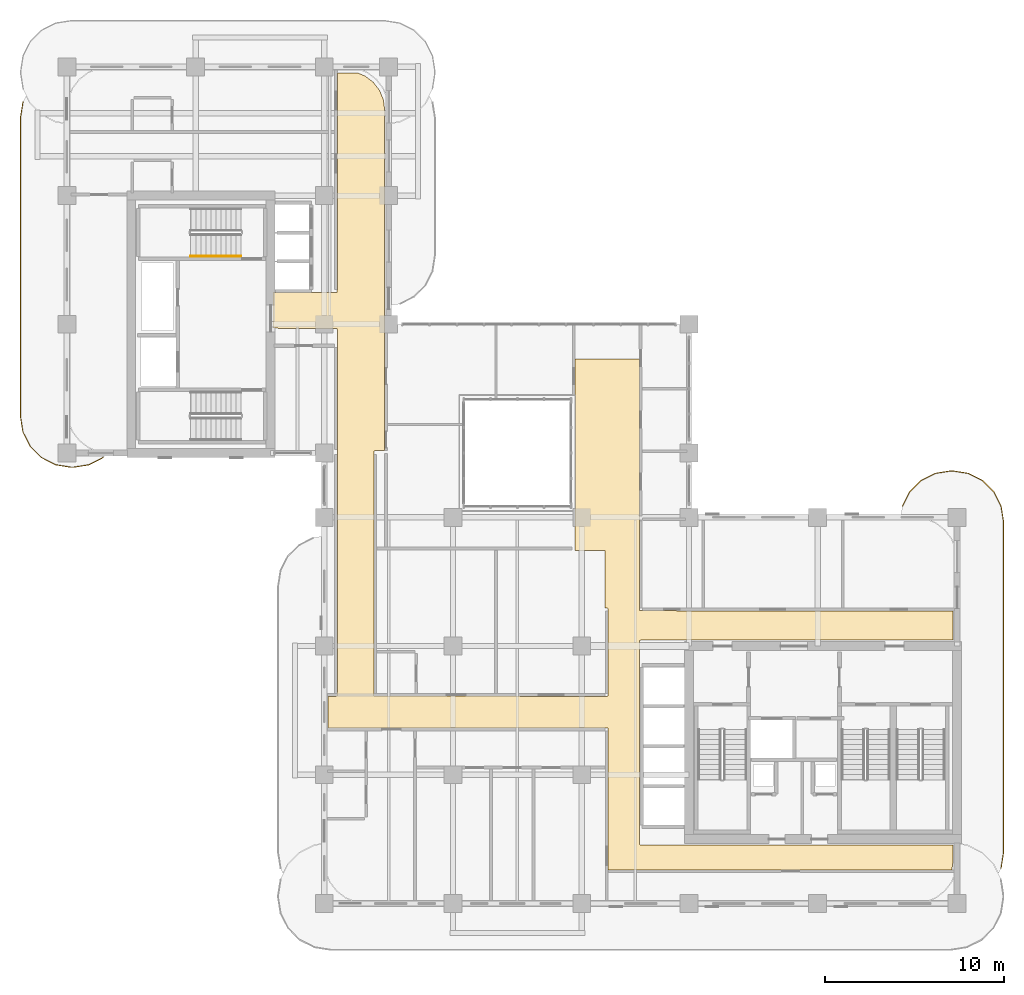
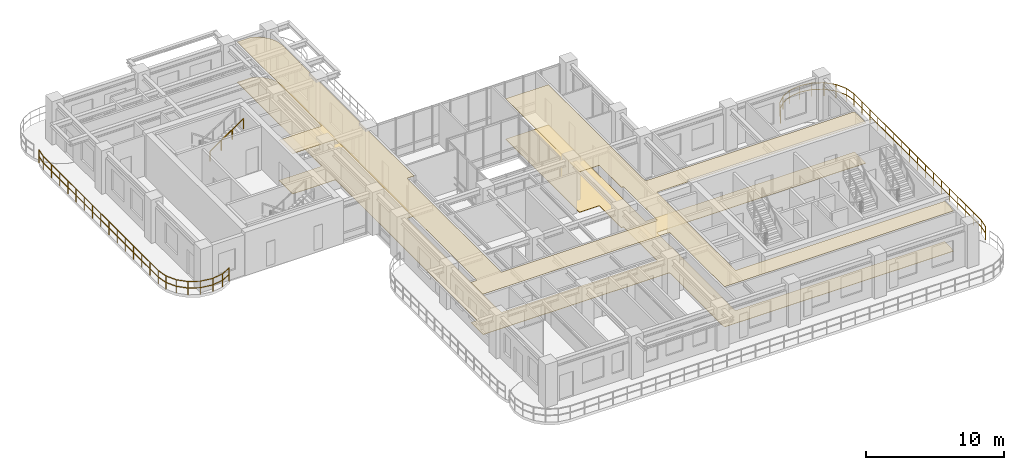
# One storey, part 19 of 20: 3 railings, 2 coverings.
"""IFC4 building model written with IfcOpenShell, lengths in metres."""

from ifc_helpers import new_model, si_unit, derived_unit, direction, frame, origin, origin_2d, place, context, subcontext, project, spatial, polyline, rectangle, outline, extrude, material, layer, layer_set, type_object, element, save


model = new_model("IFC4")

# Units and contexts
model_context = context("Model", 3, precision=1e-05, world=origin(), true_north=direction((0.0, 1.0)))
body_context = subcontext(model_context, "Body", "Model", "MODEL_VIEW")
ifc_project = project(units=[si_unit("LENGTHUNIT", "METRE"), si_unit("AREAUNIT", "SQUARE_METRE"), si_unit("VOLUMEUNIT", "CUBIC_METRE"), si_unit("PLANEANGLEUNIT", "RADIAN"), si_unit("MASSUNIT", "GRAM", prefix="KILO"), si_unit("THERMODYNAMICTEMPERATUREUNIT", "KELVIN"), si_unit("POWERUNIT", "WATT"), derived_unit("THERMALTRANSMITTANCEUNIT", [(si_unit("POWERUNIT", "WATT"), 1), (si_unit("AREAUNIT", "SQUARE_METRE"), -1), (si_unit("THERMODYNAMICTEMPERATUREUNIT", "KELVIN"), -1)])], contexts=[model_context])

# Site, building, storey
site_placement = place(None, origin())
site = spatial("IfcSite", under=ifc_project, at=site_placement, CompositionType="ELEMENT")
building_placement = place(site_placement, origin())
building = spatial("IfcBuilding", under=site, at=building_placement, Name="Zahravan Archway Hotel and Residences", CompositionType="ELEMENT")
storey_placement = place(building_placement, frame((0.0, 0.0, 177.25)))
storey = spatial("IfcBuildingStorey", under=building, at=storey_placement, Name="L44", CompositionType="ELEMENT", Elevation=177.25)

# Coverings
ifc_material_1 = material(Name="Perforated Acoustic Gypsum Ceiling")
ifc_layer_1 = layer(ifc_material_1, 0.02490234375, Name="Perforated Acoustic Gypsum Ceiling")
ifc_layer_set_1 = layer_set([ifc_layer_1], Name="Perforated Acoustic Gypsum Ceiling")
covering_type_1 = type_object("IfcCoveringType", Name="COV-CEIL-ACST", PredefinedType="CEILING", material=ifc_layer_set_1)
covering_1_placement = place(storey_placement, frame((0.0, 0.0, 3.574951171875)))
element("IfcCovering", 1, at=covering_1_placement, inside=storey, type_object=covering_type_1, Name="L44 Acoustic Corridor Ceiling", PredefinedType="CEILING", context=body_context, shape_type="SweptSolid", body=[
    extrude(outline(polyline([(32.09228515625, 14.7294921875), (32.04931640625, 14.7119140625), (32.0234375, 14.673095703125), (32.02001953125, 3.35009765625), (32.033447265625, 3.3056640625), (32.0693359375, 3.276123046875), (49.580078125, 3.27001953125), (49.580078125, 2.414306640625), (49.509521484375, 1.8798828125), (30.280029296875, 1.8798828125), (30.280029296875, 9.75), (30.2666015625, 9.79443359375), (30.230712890625, 9.823974609375), (14.6201171875, 9.830078125), (14.6201171875, 11.590087890625), (15.050048828125, 11.590087890625), (15.094482421875, 11.603515625), (15.123779296875, 11.639404296875), (15.1298828125, 32.10009765625), (15.116455078125, 32.144287109375), (15.08056640625, 32.173828125), (11.530029296875, 32.179931640625), (11.530029296875, 34.169921875), (15.050048828125, 34.169921875), (15.094482421875, 34.18359375), (15.123779296875, 34.219482421875), (15.1298828125, 46.469970703125), (16.24560546875, 46.469970703125), (16.689208984375, 46.286376953125), (17.14013671875, 45.940185546875), (17.486328125, 45.489013671875), (17.703857421875, 44.9638671875), (17.77001953125, 44.46142578125), (17.77001953125, 25.330078125), (17.25, 25.330078125), (17.20556640625, 25.31640625), (17.176025390625, 25.280517578125), (17.169921875, 11.669921875), (17.18359375, 11.62548828125), (17.219482421875, 11.59619140625), (30.199951171875, 11.590087890625), (30.244384765625, 11.603515625), (30.27392578125, 11.639404296875), (30.280029296875, 16.449951171875), (30.2666015625, 16.494384765625), (30.230712890625, 16.52392578125), (30.10009765625, 16.530029296875), (30.10009765625, 19.719970703125), (30.072998046875, 19.75), (28.429931640625, 19.75), (28.429931640625, 30.469970703125), (32.02001953125, 30.469970703125), (32.02001953125, 16.449951171875), (32.033447265625, 16.405517578125), (32.0693359375, 16.376220703125), (49.580078125, 16.3701171875), (49.580078125, 14.72998046875), (32.10009765625, 14.72998046875), (32.09228515625, 14.7294921875)])), origin(), (0.0, 0.0, 1.0), 0.025146484375),
])
ifc_material_2 = material(Name="Honed Margalla Limestone & Mortar Bed", Category="masonry")
ifc_layer_2 = layer(ifc_material_2, 0.030029296875, Name="Honed Margalla Limestone & Mortar Bed", Category="masonry")
ifc_layer_set_2 = layer_set([ifc_layer_2], Name="Honed Margalla Limestone & Mortar Bed")
covering_type_2 = type_object("IfcCoveringType", Name="COV-FLR-STONE", PredefinedType="FLOORING", material=ifc_layer_set_2)
covering_2_placement = place(storey_placement, origin())
element("IfcCovering", 2, at=covering_2_placement, inside=storey, type_object=covering_type_2, Name="L44 Circulation Floor Finish", PredefinedType="FLOORING", context=body_context, shape_type="SweptSolid", body=[
    extrude(outline(polyline([(32.09228515625, 14.7294921875), (32.04931640625, 14.7119140625), (32.0234375, 14.673095703125), (32.02001953125, 3.35009765625), (32.033447265625, 3.3056640625), (32.0693359375, 3.276123046875), (49.580078125, 3.27001953125), (49.580078125, 2.414306640625), (49.509521484375, 1.8798828125), (30.280029296875, 1.8798828125), (30.280029296875, 9.75), (30.2666015625, 9.79443359375), (30.230712890625, 9.823974609375), (14.6201171875, 9.830078125), (14.6201171875, 11.590087890625), (15.050048828125, 11.590087890625), (15.094482421875, 11.603515625), (15.123779296875, 11.639404296875), (15.1298828125, 32.10009765625), (15.116455078125, 32.144287109375), (15.08056640625, 32.173828125), (11.530029296875, 32.179931640625), (11.530029296875, 34.169921875), (15.050048828125, 34.169921875), (15.094482421875, 34.18359375), (15.123779296875, 34.219482421875), (15.1298828125, 46.469970703125), (16.24560546875, 46.469970703125), (16.689208984375, 46.286376953125), (17.14013671875, 45.940185546875), (17.486328125, 45.489013671875), (17.703857421875, 44.9638671875), (17.77001953125, 44.46142578125), (17.77001953125, 25.330078125), (17.25, 25.330078125), (17.20556640625, 25.31640625), (17.176025390625, 25.280517578125), (17.169921875, 11.669921875), (17.18359375, 11.62548828125), (17.219482421875, 11.59619140625), (30.199951171875, 11.590087890625), (30.244384765625, 11.603515625), (30.27392578125, 11.639404296875), (30.280029296875, 16.449951171875), (30.2666015625, 16.494384765625), (30.230712890625, 16.52392578125), (30.10009765625, 16.530029296875), (30.10009765625, 19.719970703125), (30.072998046875, 19.75), (28.429931640625, 19.75), (28.429931640625, 30.469970703125), (32.02001953125, 30.469970703125), (32.02001953125, 16.449951171875), (32.033447265625, 16.405517578125), (32.0693359375, 16.376220703125), (49.580078125, 16.3701171875), (49.580078125, 14.72998046875), (32.10009765625, 14.72998046875), (32.09228515625, 14.7294921875)])), origin(), (0.0, 0.0, 1.0), 0.030029296875),
])

# Railings
ifc_material_3 = material(Name="Bronze & Laminated Glass Balustrade", Category="glass")
railing_type_1 = type_object("IfcRailingType", Name="RL-BAL-1200", PredefinedType="BALUSTRADE", material=ifc_material_3)
railing_1_placement = place(storey_placement, frame((46.739501953125, 22.230712890625, 0.0)))
element("IfcRailing", 3, at=railing_1_placement, inside=storey, type_object=railing_type_1, Name="L44 Balustrade RL-SLB-BAL-L44-EA-1", PredefinedType="BALUSTRADE", context=body_context, shape_type="SweptSolid", body=[
    extrude(rectangle(XDim=0.048095703125, YDim=0.048095703125, at=origin_2d()), frame((0.0, 0.0, 1.17578125), z_axis=(0.453991409995, 0.891006060389, 0.0), x_axis=(-0.891006060389, 0.453991409995, 0.0)), (0.0, 0.0, 1.0), 0.8916015625),
    extrude(rectangle(XDim=0.048095703125, YDim=0.048095703125, at=origin_2d()), frame((0.0, 0.0, 0.60009765625), z_axis=(0.453991409995, 0.891006060389, 0.0), x_axis=(-0.891006060389, 0.453991409995, 0.0)), (0.0, 0.0, 1.0), 0.8916015625),
    extrude(rectangle(XDim=0.048095703125, YDim=0.048095703125, at=origin_2d()), frame((0.40478515625, 0.79443359375, 1.17578125), z_axis=(0.707106781187, 0.707106781187, 0.0), x_axis=(-0.707106781187, 0.707106781187, 0.0)), (0.0, 0.0, 1.0), 0.891845703125),
    extrude(rectangle(XDim=0.048095703125, YDim=0.048095703125, at=origin_2d()), frame((0.40478515625, 0.79443359375, 0.60009765625), z_axis=(0.707106781187, 0.707106781187, 0.0), x_axis=(-0.707106781187, 0.707106781187, 0.0)), (0.0, 0.0, 1.0), 0.891845703125),
    extrude(rectangle(XDim=0.048095703125, YDim=0.048095703125, at=origin_2d()), frame((1.035400390625, 1.425048828125, 1.17578125), z_axis=(0.891006060389, 0.453991409995, 0.0), x_axis=(-0.453991409995, 0.891006060389, 0.0)), (0.0, 0.0, 1.0), 0.8916015625),
    extrude(rectangle(XDim=0.048095703125, YDim=0.048095703125, at=origin_2d()), frame((1.035400390625, 1.425048828125, 0.60009765625), z_axis=(0.891006060389, 0.453991409995, 0.0), x_axis=(-0.453991409995, 0.891006060389, 0.0)), (0.0, 0.0, 1.0), 0.8916015625),
    extrude(rectangle(XDim=0.048095703125, YDim=0.048095703125, at=origin_2d()), frame((1.829833984375, 1.829833984375, 1.17578125), z_axis=(0.987700720307, 0.156356282588, 0.0), x_axis=(-0.156356282588, 0.987700720307, 0.0)), (0.0, 0.0, 1.0), 0.8916015625),
    extrude(rectangle(XDim=0.048095703125, YDim=0.048095703125, at=origin_2d()), frame((1.829833984375, 1.829833984375, 0.60009765625), z_axis=(0.987700720307, 0.156356282588, 0.0), x_axis=(-0.156356282588, 0.987700720307, 0.0)), (0.0, 0.0, 1.0), 0.8916015625),
    extrude(rectangle(XDim=0.048095703125, YDim=0.048095703125, at=origin_2d()), frame((2.71044921875, 1.96923828125, 1.17578125), z_axis=(1.0, 0.0, 0.0), x_axis=(0.0, 1.0, 0.0)), (0.0, 0.0, 1.0), 0.10009765625),
    extrude(rectangle(XDim=0.048095703125, YDim=0.048095703125, at=origin_2d()), frame((2.71044921875, 1.96923828125, 0.60009765625), z_axis=(1.0, 0.0, 0.0), x_axis=(0.0, 1.0, 0.0)), (0.0, 0.0, 1.0), 0.10009765625),
    extrude(rectangle(XDim=0.048095703125, YDim=0.048095703125, at=origin_2d()), frame((2.810546875, 1.96923828125, 1.17578125), z_axis=(0.987700720307, -0.156356282588, 0.0), x_axis=(0.156356282588, 0.987700720307, 0.0)), (0.0, 0.0, 1.0), 0.8916015625),
    extrude(rectangle(XDim=0.048095703125, YDim=0.048095703125, at=origin_2d()), frame((2.810546875, 1.96923828125, 0.60009765625), z_axis=(0.987700720307, -0.156356282588, 0.0), x_axis=(0.156356282588, 0.987700720307, 0.0)), (0.0, 0.0, 1.0), 0.8916015625),
    extrude(rectangle(XDim=0.048095703125, YDim=0.048095703125, at=origin_2d()), frame((3.691162109375, 1.829833984375, 1.17578125), z_axis=(0.891006060389, -0.453991409995, 0.0), x_axis=(0.453991409995, 0.891006060389, 0.0)), (0.0, 0.0, 1.0), 0.8916015625),
    extrude(rectangle(XDim=0.048095703125, YDim=0.048095703125, at=origin_2d()), frame((3.691162109375, 1.829833984375, 0.60009765625), z_axis=(0.891006060389, -0.453991409995, 0.0), x_axis=(0.453991409995, 0.891006060389, 0.0)), (0.0, 0.0, 1.0), 0.8916015625),
    extrude(rectangle(XDim=0.048095703125, YDim=0.048095703125, at=origin_2d()), frame((4.485595703125, 1.425048828125, 1.17578125), z_axis=(0.707106781187, -0.707106781187, 0.0), x_axis=(0.707106781187, 0.707106781187, 0.0)), (0.0, 0.0, 1.0), 0.891845703125),
    extrude(rectangle(XDim=0.048095703125, YDim=0.048095703125, at=origin_2d()), frame((4.485595703125, 1.425048828125, 0.60009765625), z_axis=(0.707106781187, -0.707106781187, 0.0), x_axis=(0.707106781187, 0.707106781187, 0.0)), (0.0, 0.0, 1.0), 0.891845703125),
    extrude(rectangle(XDim=0.048095703125, YDim=0.048095703125, at=origin_2d()), frame((5.1162109375, 0.79443359375, 1.17578125), z_axis=(0.453991409995, -0.891006060389, 0.0), x_axis=(0.891006060389, 0.453991409995, 0.0)), (0.0, 0.0, 1.0), 0.8916015625),
    extrude(rectangle(XDim=0.048095703125, YDim=0.048095703125, at=origin_2d()), frame((5.1162109375, 0.79443359375, 0.60009765625), z_axis=(0.453991409995, -0.891006060389, 0.0), x_axis=(0.891006060389, 0.453991409995, 0.0)), (0.0, 0.0, 1.0), 0.8916015625),
    extrude(rectangle(XDim=0.048095703125, YDim=0.048095703125, at=origin_2d()), frame((5.52099609375, 0.0, 1.17578125), z_axis=(0.156356282588, -0.987700720307, 0.0), x_axis=(0.987700720307, 0.156356282588, 0.0)), (0.0, 0.0, 1.0), 0.8916015625),
    extrude(rectangle(XDim=0.048095703125, YDim=0.048095703125, at=origin_2d()), frame((5.52099609375, 0.0, 0.60009765625), z_axis=(0.156356282588, -0.987700720307, 0.0), x_axis=(0.987700720307, 0.156356282588, 0.0)), (0.0, 0.0, 1.0), 0.8916015625),
    extrude(rectangle(XDim=0.048095703125, YDim=0.048095703125, at=origin_2d()), frame((5.660400390625, -0.880615234375, 1.17578125), z_axis=(0.0, -1.0, 0.0), x_axis=(1.0, 0.0, 0.0)), (0.0, 0.0, 1.0), 18.5),
    extrude(rectangle(XDim=0.048095703125, YDim=0.048095703125, at=origin_2d()), frame((5.660400390625, -0.880615234375, 0.60009765625), z_axis=(0.0, -1.0, 0.0), x_axis=(1.0, 0.0, 0.0)), (0.0, 0.0, 1.0), 18.5),
    extrude(rectangle(XDim=0.048095703125, YDim=0.048095703125, at=origin_2d()), frame((5.660400390625, -19.380615234375, 1.17578125), z_axis=(-0.156314005608, -0.987707411965, 0.0), x_axis=(0.987707411965, -0.156314005608, 0.0)), (0.0, 0.0, 1.0), 0.891845703125),
    extrude(rectangle(XDim=0.048095703125, YDim=0.048095703125, at=origin_2d()), frame((5.660400390625, -19.380615234375, 0.60009765625), z_axis=(-0.156314005608, -0.987707411965, 0.0), x_axis=(0.987707411965, -0.156314005608, 0.0)), (0.0, 0.0, 1.0), 0.891845703125),
    extrude(rectangle(XDim=0.0419921875, YDim=0.0419921875, at=origin_2d()), origin(), (0.0, 0.0, 1.0), 1.15185546875),
    extrude(rectangle(XDim=0.0419921875, YDim=0.0419921875, at=origin_2d()), frame((0.40478515625, 0.79443359375, 0.0)), (0.0, 0.0, 1.0), 1.15185546875),
    extrude(rectangle(XDim=0.0419921875, YDim=0.0419921875, at=origin_2d()), frame((1.035400390625, 1.425048828125, 0.0)), (0.0, 0.0, 1.0), 1.15185546875),
    extrude(rectangle(XDim=0.0419921875, YDim=0.0419921875, at=origin_2d()), frame((1.829833984375, 1.829833984375, 0.0)), (0.0, 0.0, 1.0), 1.15185546875),
    extrude(rectangle(XDim=0.0419921875, YDim=0.0419921875, at=origin_2d()), frame((2.71044921875, 1.96923828125, 0.0)), (0.0, 0.0, 1.0), 1.15185546875),
    extrude(rectangle(XDim=0.0419921875, YDim=0.0419921875, at=origin_2d()), frame((3.691162109375, 1.829833984375, 0.0)), (0.0, 0.0, 1.0), 1.15185546875),
    extrude(rectangle(XDim=0.0419921875, YDim=0.0419921875, at=origin_2d()), frame((4.485595703125, 1.425048828125, 0.0)), (0.0, 0.0, 1.0), 1.15185546875),
    extrude(rectangle(XDim=0.0419921875, YDim=0.0419921875, at=origin_2d()), frame((5.1162109375, 0.79443359375, 0.0)), (0.0, 0.0, 1.0), 1.15185546875),
    extrude(rectangle(XDim=0.0419921875, YDim=0.0419921875, at=origin_2d()), frame((5.52099609375, 0.0, 0.0)), (0.0, 0.0, 1.0), 1.15185546875),
    extrude(rectangle(XDim=0.0419921875, YDim=0.0419921875, at=origin_2d()), frame((5.660400390625, -0.880615234375, 0.0)), (0.0, 0.0, 1.0), 1.15185546875),
    extrude(rectangle(XDim=0.0419921875, YDim=0.0419921875, at=origin_2d()), frame((5.660400390625, -2.036865234375, 0.0)), (0.0, 0.0, 1.0), 1.15185546875),
    extrude(rectangle(XDim=0.0419921875, YDim=0.0419921875, at=origin_2d()), frame((5.660400390625, -3.193115234375, 0.0)), (0.0, 0.0, 1.0), 1.15185546875),
    extrude(rectangle(XDim=0.0419921875, YDim=0.0419921875, at=origin_2d()), frame((5.660400390625, -4.349365234375, 0.0)), (0.0, 0.0, 1.0), 1.15185546875),
    extrude(rectangle(XDim=0.0419921875, YDim=0.0419921875, at=origin_2d()), frame((5.660400390625, -5.505615234375, 0.0)), (0.0, 0.0, 1.0), 1.15185546875),
    extrude(rectangle(XDim=0.0419921875, YDim=0.0419921875, at=origin_2d()), frame((5.660400390625, -6.661865234375, 0.0)), (0.0, 0.0, 1.0), 1.15185546875),
    extrude(rectangle(XDim=0.0419921875, YDim=0.0419921875, at=origin_2d()), frame((5.660400390625, -7.818115234375, 0.0)), (0.0, 0.0, 1.0), 1.15185546875),
    extrude(rectangle(XDim=0.0419921875, YDim=0.0419921875, at=origin_2d()), frame((5.660400390625, -8.974365234375, 0.0)), (0.0, 0.0, 1.0), 1.15185546875),
    extrude(rectangle(XDim=0.0419921875, YDim=0.0419921875, at=origin_2d()), frame((5.660400390625, -10.130615234375, 0.0)), (0.0, 0.0, 1.0), 1.15185546875),
    extrude(rectangle(XDim=0.0419921875, YDim=0.0419921875, at=origin_2d()), frame((5.660400390625, -11.286865234375, 0.0)), (0.0, 0.0, 1.0), 1.15185546875),
    extrude(rectangle(XDim=0.0419921875, YDim=0.0419921875, at=origin_2d()), frame((5.660400390625, -12.443115234375, 0.0)), (0.0, 0.0, 1.0), 1.15185546875),
    extrude(rectangle(XDim=0.0419921875, YDim=0.0419921875, at=origin_2d()), frame((5.660400390625, -13.599365234375, 0.0)), (0.0, 0.0, 1.0), 1.15185546875),
    extrude(rectangle(XDim=0.0419921875, YDim=0.0419921875, at=origin_2d()), frame((5.660400390625, -14.755615234375, 0.0)), (0.0, 0.0, 1.0), 1.15185546875),
    extrude(rectangle(XDim=0.0419921875, YDim=0.0419921875, at=origin_2d()), frame((5.660400390625, -15.911865234375, 0.0)), (0.0, 0.0, 1.0), 1.15185546875),
    extrude(rectangle(XDim=0.0419921875, YDim=0.0419921875, at=origin_2d()), frame((5.660400390625, -17.068115234375, 0.0)), (0.0, 0.0, 1.0), 1.15185546875),
    extrude(rectangle(XDim=0.0419921875, YDim=0.0419921875, at=origin_2d()), frame((5.660400390625, -18.224365234375, 0.0)), (0.0, 0.0, 1.0), 1.15185546875),
    extrude(rectangle(XDim=0.0419921875, YDim=0.0419921875, at=origin_2d()), frame((5.660400390625, -19.380615234375, 0.0)), (0.0, 0.0, 1.0), 1.15185546875),
    extrude(rectangle(XDim=0.0419921875, YDim=0.0419921875, at=origin_2d()), frame((5.52099609375, -20.261474609375, 0.0)), (0.0, 0.0, 1.0), 1.15185546875),
])
railing_2_placement = place(storey_placement, frame((2.025146484375, 24.9443359375, 0.0)))
element("IfcRailing", 4, at=railing_2_placement, inside=storey, type_object=railing_type_1, Name="L44 Balustrade RL-SLB-BAL-L44-WB-1", PredefinedType="BALUSTRADE", context=body_context, shape_type="SweptSolid", body=[
    extrude(rectangle(XDim=0.048095703125, YDim=0.048095703125, at=origin_2d()), frame((0.0, 0.0, 1.17578125), z_axis=(-0.891006060389, -0.453991409995, 0.0), x_axis=(0.453991409995, -0.891006060389, 0.0)), (0.0, 0.0, 1.0), 0.8916015625),
    extrude(rectangle(XDim=0.048095703125, YDim=0.048095703125, at=origin_2d()), frame((0.0, 0.0, 0.60009765625), z_axis=(-0.891006060389, -0.453991409995, 0.0), x_axis=(0.453991409995, -0.891006060389, 0.0)), (0.0, 0.0, 1.0), 0.8916015625),
    extrude(rectangle(XDim=0.048095703125, YDim=0.048095703125, at=origin_2d()), frame((-0.79443359375, -0.40478515625, 1.17578125), z_axis=(-0.987658397726, -0.156623399917, 0.0), x_axis=(0.156623399917, -0.987658397726, 0.0)), (0.0, 0.0, 1.0), 0.8916015625),
    extrude(rectangle(XDim=0.048095703125, YDim=0.048095703125, at=origin_2d()), frame((-0.79443359375, -0.40478515625, 0.60009765625), z_axis=(-0.987658397726, -0.156623399917, 0.0), x_axis=(0.156623399917, -0.987658397726, 0.0)), (0.0, 0.0, 1.0), 0.8916015625),
    extrude(rectangle(XDim=0.048095703125, YDim=0.048095703125, at=origin_2d()), frame((-1.675048828125, -0.54443359375, 1.17578125), z_axis=(-1.0, 0.0, 0.0), x_axis=(0.0, -1.0, 0.0)), (0.0, 0.0, 1.0), 0.10009765625),
    extrude(rectangle(XDim=0.048095703125, YDim=0.048095703125, at=origin_2d()), frame((-1.675048828125, -0.54443359375, 0.60009765625), z_axis=(-1.0, 0.0, 0.0), x_axis=(0.0, -1.0, 0.0)), (0.0, 0.0, 1.0), 0.10009765625),
    extrude(rectangle(XDim=0.048095703125, YDim=0.048095703125, at=origin_2d()), frame((-1.775146484375, -0.54443359375, 1.17578125), z_axis=(-0.987658397726, 0.156623399917, 0.0), x_axis=(-0.156623399917, -0.987658397726, 0.0)), (0.0, 0.0, 1.0), 0.8916015625),
    extrude(rectangle(XDim=0.048095703125, YDim=0.048095703125, at=origin_2d()), frame((-1.775146484375, -0.54443359375, 0.60009765625), z_axis=(-0.987658397726, 0.156623399917, 0.0), x_axis=(-0.156623399917, -0.987658397726, 0.0)), (0.0, 0.0, 1.0), 0.8916015625),
    extrude(rectangle(XDim=0.048095703125, YDim=0.048095703125, at=origin_2d()), frame((-2.65576171875, -0.40478515625, 1.17578125), z_axis=(-0.891062476022, 0.45388067135, 0.0), x_axis=(-0.45388067135, -0.891062476022, 0.0)), (0.0, 0.0, 1.0), 0.891845703125),
    extrude(rectangle(XDim=0.048095703125, YDim=0.048095703125, at=origin_2d()), frame((-2.65576171875, -0.40478515625, 0.60009765625), z_axis=(-0.891062476022, 0.45388067135, 0.0), x_axis=(-0.45388067135, -0.891062476022, 0.0)), (0.0, 0.0, 1.0), 0.891845703125),
    extrude(rectangle(XDim=0.048095703125, YDim=0.048095703125, at=origin_2d()), frame((-3.450439453125, 0.0, 1.17578125), z_axis=(-0.707106781187, 0.707106781187, 0.0), x_axis=(-0.707106781187, -0.707106781187, 0.0)), (0.0, 0.0, 1.0), 0.891357421875),
    extrude(rectangle(XDim=0.048095703125, YDim=0.048095703125, at=origin_2d()), frame((-3.450439453125, 0.0, 0.60009765625), z_axis=(-0.707106781187, 0.707106781187, 0.0), x_axis=(-0.707106781187, -0.707106781187, 0.0)), (0.0, 0.0, 1.0), 0.891357421875),
    extrude(rectangle(XDim=0.048095703125, YDim=0.048095703125, at=origin_2d()), frame((-4.080810546875, 0.63037109375, 1.17578125), z_axis=(-0.45388067135, 0.891062476022, 0.0), x_axis=(-0.891062476022, -0.45388067135, 0.0)), (0.0, 0.0, 1.0), 0.891845703125),
    extrude(rectangle(XDim=0.048095703125, YDim=0.048095703125, at=origin_2d()), frame((-4.080810546875, 0.63037109375, 0.60009765625), z_axis=(-0.45388067135, 0.891062476022, 0.0), x_axis=(-0.891062476022, -0.45388067135, 0.0)), (0.0, 0.0, 1.0), 0.891845703125),
    extrude(rectangle(XDim=0.048095703125, YDim=0.048095703125, at=origin_2d()), frame((-4.485595703125, 1.425048828125, 1.17578125), z_axis=(-0.156623399917, 0.987658397726, 0.0), x_axis=(-0.987658397726, -0.156623399917, 0.0)), (0.0, 0.0, 1.0), 0.8916015625),
    extrude(rectangle(XDim=0.048095703125, YDim=0.048095703125, at=origin_2d()), frame((-4.485595703125, 1.425048828125, 0.60009765625), z_axis=(-0.156623399917, 0.987658397726, 0.0), x_axis=(-0.987658397726, -0.156623399917, 0.0)), (0.0, 0.0, 1.0), 0.8916015625),
    extrude(rectangle(XDim=0.048095703125, YDim=0.048095703125, at=origin_2d()), frame((-4.625244140625, 2.3056640625, 1.17578125), z_axis=(0.0, 1.0, 0.0), x_axis=(-1.0, 0.0, 0.0)), (0.0, 0.0, 1.0), 16.699951171875),
    extrude(rectangle(XDim=0.048095703125, YDim=0.048095703125, at=origin_2d()), frame((-4.625244140625, 2.3056640625, 0.60009765625), z_axis=(0.0, 1.0, 0.0), x_axis=(-1.0, 0.0, 0.0)), (0.0, 0.0, 1.0), 16.699951171875),
    extrude(rectangle(XDim=0.048095703125, YDim=0.048095703125, at=origin_2d()), frame((-4.625244140625, 19.005615234375, 1.17578125), z_axis=(0.156581054338, 0.98766511198, 0.0), x_axis=(-0.98766511198, 0.156581054338, 0.0)), (0.0, 0.0, 1.0), 0.891845703125),
    extrude(rectangle(XDim=0.048095703125, YDim=0.048095703125, at=origin_2d()), frame((-4.625244140625, 19.005615234375, 0.60009765625), z_axis=(0.156581054338, 0.98766511198, 0.0), x_axis=(-0.98766511198, 0.156581054338, 0.0)), (0.0, 0.0, 1.0), 0.891845703125),
    extrude(rectangle(XDim=0.0419921875, YDim=0.0419921875, at=origin_2d()), origin(), (0.0, 0.0, 1.0), 1.15185546875),
    extrude(rectangle(XDim=0.0419921875, YDim=0.0419921875, at=origin_2d()), frame((-0.79443359375, -0.40478515625, 0.0)), (0.0, 0.0, 1.0), 1.15185546875),
    extrude(rectangle(XDim=0.0419921875, YDim=0.0419921875, at=origin_2d()), frame((-1.675048828125, -0.54443359375, 0.0)), (0.0, 0.0, 1.0), 1.15185546875),
    extrude(rectangle(XDim=0.0419921875, YDim=0.0419921875, at=origin_2d()), frame((-2.65576171875, -0.40478515625, 0.0)), (0.0, 0.0, 1.0), 1.15185546875),
    extrude(rectangle(XDim=0.0419921875, YDim=0.0419921875, at=origin_2d()), frame((-3.450439453125, 0.0, 0.0)), (0.0, 0.0, 1.0), 1.15185546875),
    extrude(rectangle(XDim=0.0419921875, YDim=0.0419921875, at=origin_2d()), frame((-4.080810546875, 0.63037109375, 0.0)), (0.0, 0.0, 1.0), 1.15185546875),
    extrude(rectangle(XDim=0.0419921875, YDim=0.0419921875, at=origin_2d()), frame((-4.485595703125, 1.425048828125, 0.0)), (0.0, 0.0, 1.0), 1.15185546875),
    extrude(rectangle(XDim=0.0419921875, YDim=0.0419921875, at=origin_2d()), frame((-4.625244140625, 2.3056640625, 0.0)), (0.0, 0.0, 1.0), 1.15185546875),
    extrude(rectangle(XDim=0.0419921875, YDim=0.0419921875, at=origin_2d()), frame((-4.625244140625, 3.49853515625, 0.0)), (0.0, 0.0, 1.0), 1.15185546875),
    extrude(rectangle(XDim=0.0419921875, YDim=0.0419921875, at=origin_2d()), frame((-4.625244140625, 4.69140625, 0.0)), (0.0, 0.0, 1.0), 1.15185546875),
    extrude(rectangle(XDim=0.0419921875, YDim=0.0419921875, at=origin_2d()), frame((-4.625244140625, 5.88427734375, 0.0)), (0.0, 0.0, 1.0), 1.15185546875),
    extrude(rectangle(XDim=0.0419921875, YDim=0.0419921875, at=origin_2d()), frame((-4.625244140625, 7.0771484375, 0.0)), (0.0, 0.0, 1.0), 1.15185546875),
    extrude(rectangle(XDim=0.0419921875, YDim=0.0419921875, at=origin_2d()), frame((-4.625244140625, 8.27001953125, 0.0)), (0.0, 0.0, 1.0), 1.15185546875),
    extrude(rectangle(XDim=0.0419921875, YDim=0.0419921875, at=origin_2d()), frame((-4.625244140625, 9.462890625, 0.0)), (0.0, 0.0, 1.0), 1.15185546875),
    extrude(rectangle(XDim=0.0419921875, YDim=0.0419921875, at=origin_2d()), frame((-4.625244140625, 10.65576171875, 0.0)), (0.0, 0.0, 1.0), 1.15185546875),
    extrude(rectangle(XDim=0.0419921875, YDim=0.0419921875, at=origin_2d()), frame((-4.625244140625, 11.848388671875, 0.0)), (0.0, 0.0, 1.0), 1.15185546875),
    extrude(rectangle(XDim=0.0419921875, YDim=0.0419921875, at=origin_2d()), frame((-4.625244140625, 13.041259765625, 0.0)), (0.0, 0.0, 1.0), 1.15185546875),
    extrude(rectangle(XDim=0.0419921875, YDim=0.0419921875, at=origin_2d()), frame((-4.625244140625, 14.234130859375, 0.0)), (0.0, 0.0, 1.0), 1.15185546875),
    extrude(rectangle(XDim=0.0419921875, YDim=0.0419921875, at=origin_2d()), frame((-4.625244140625, 15.427001953125, 0.0)), (0.0, 0.0, 1.0), 1.15185546875),
    extrude(rectangle(XDim=0.0419921875, YDim=0.0419921875, at=origin_2d()), frame((-4.625244140625, 16.619873046875, 0.0)), (0.0, 0.0, 1.0), 1.15185546875),
    extrude(rectangle(XDim=0.0419921875, YDim=0.0419921875, at=origin_2d()), frame((-4.625244140625, 17.812744140625, 0.0)), (0.0, 0.0, 1.0), 1.15185546875),
    extrude(rectangle(XDim=0.0419921875, YDim=0.0419921875, at=origin_2d()), frame((-4.625244140625, 19.005615234375, 0.0)), (0.0, 0.0, 1.0), 1.15185546875),
    extrude(rectangle(XDim=0.0419921875, YDim=0.0419921875, at=origin_2d()), frame((-4.485595703125, 19.886474609375, 0.0)), (0.0, 0.0, 1.0), 1.15185546875),
])
ifc_material_4 = material(Name="Brushed Stainless Steel", Category="steel")
railing_type_2 = type_object("IfcRailingType", Name="RL-STH-900", PredefinedType="HANDRAIL", material=ifc_material_4)
railing_3_placement = place(storey_placement, frame((6.929931640625, 36.2099609375, 2.10009765625)))
element("IfcRailing", 5, at=railing_3_placement, inside=storey, type_object=railing_type_2, Name="L44 ST-B2 stair handrail 2", PredefinedType="HANDRAIL", context=body_context, shape_type="SweptSolid", body=[
    extrude(rectangle(XDim=0.048095703125, YDim=0.048095703125, at=origin_2d()), frame((0.0, 0.0, 0.8759765625), z_axis=(0.824073370198, 0.0, 0.566483080534), x_axis=(0.0, 1.0, 0.0)), (0.0, 0.0, 1.0), 3.397705078125),
    extrude(rectangle(XDim=0.0419921875, YDim=0.0419921875, at=origin_2d()), origin(), (0.0, 0.0, 1.0), 0.851806640625),
    extrude(rectangle(XDim=0.0419921875, YDim=0.0419921875, at=origin_2d()), frame((0.933349609375, 0.0, 0.6416015625)), (0.0, 0.0, 1.0), 0.851806640625),
    extrude(rectangle(XDim=0.0419921875, YDim=0.0419921875, at=origin_2d()), frame((1.86669921875, 0.0, 1.283203125)), (0.0, 0.0, 1.0), 0.851806640625),
    extrude(rectangle(XDim=0.0419921875, YDim=0.0419921875, at=origin_2d()), frame((2.800048828125, 0.0, 1.9248046875)), (0.0, 0.0, 1.0), 0.851806640625),
])

save(model, "model.ifc")
